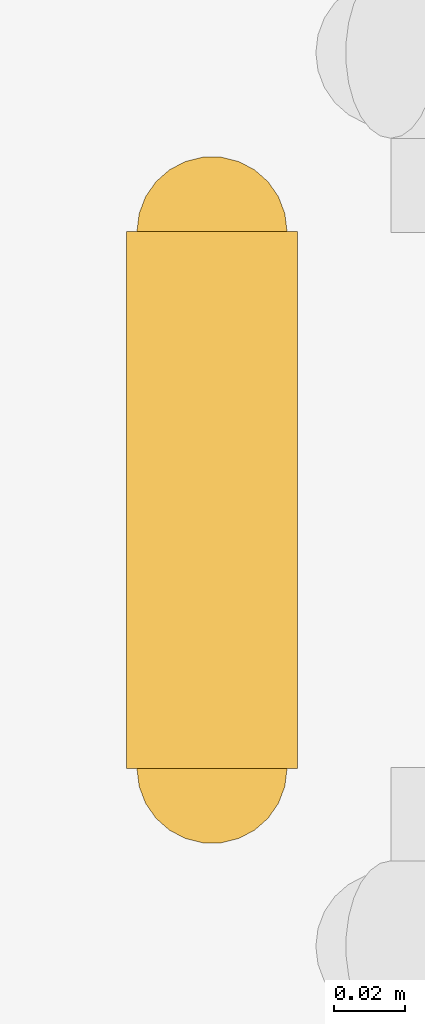
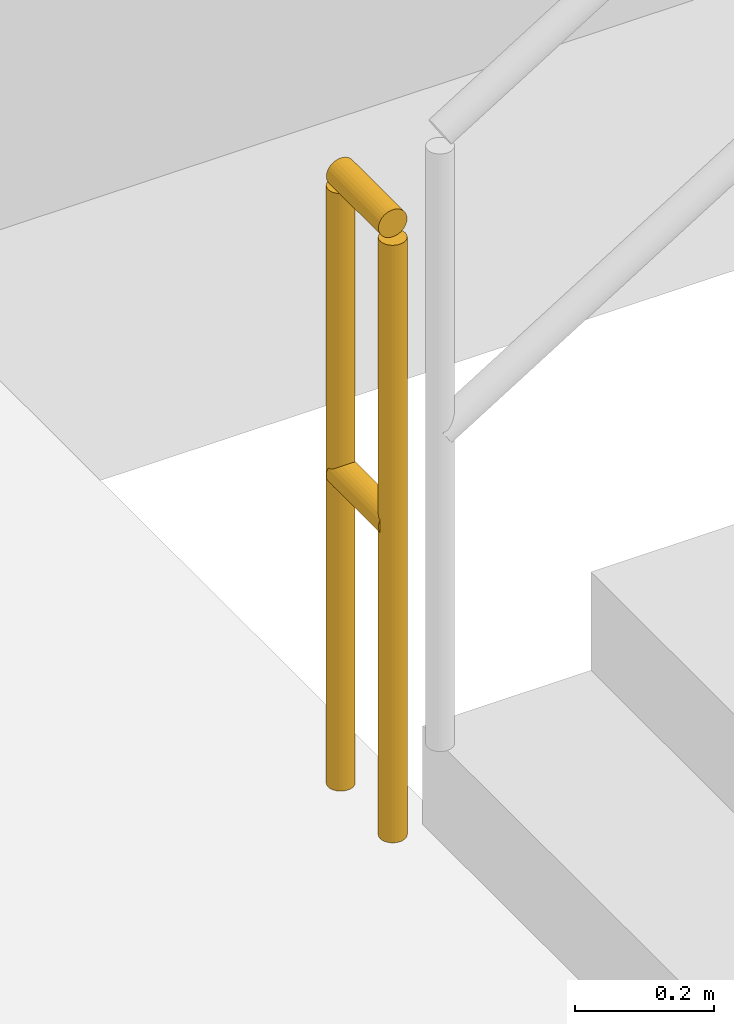
# One storey, part 10 of 13: 1 railing.
"""IFC4 building model written with IfcOpenShell, lengths in metres."""

from ifc_helpers import new_model, si_unit, direction, frame, origin, origin_2d, place, context, subcontext, project, spatial, circle, extrude, material, type_object, element, save


model = new_model("IFC4")

# Units and contexts
model_context = context("Model", 3, precision=1e-05, world=origin(), true_north=direction((0.0, 1.0)))
body_context = subcontext(model_context, "Body", "Model", "MODEL_VIEW")
ifc_project = project(units=[si_unit("LENGTHUNIT", "METRE"), si_unit("AREAUNIT", "SQUARE_METRE"), si_unit("VOLUMEUNIT", "CUBIC_METRE"), si_unit("PLANEANGLEUNIT", "RADIAN"), si_unit("MASSUNIT", "GRAM", prefix="KILO")], contexts=[model_context])

# Site, building, storey
site_placement = place(None, origin())
site = spatial("IfcSite", under=ifc_project, at=site_placement, CompositionType="ELEMENT")
building_placement = place(site_placement, origin())
building = spatial("IfcBuilding", under=site, at=building_placement, Name="Veraguas Prism Commons", CompositionType="ELEMENT")
storey_placement = place(building_placement, frame((0.0, 0.0, -5.199951171875)))
storey = spatial("IfcBuildingStorey", under=building, at=storey_placement, Name="B1", CompositionType="ELEMENT", Elevation=-5.199951171875)

# Railing
ifc_material = material(Name="Stainless steel AISI 316", Category="steel")
railing_type = type_object("IfcRailingType", Name="Stairwell Safety Guardrail 1100", PredefinedType="GUARDRAIL", material=ifc_material)
railing_placement = place(storey_placement, frame((64.199951171875, 6.64990234375, 0.0)))
element("IfcRailing", 1, at=railing_placement, inside=storey, type_object=railing_type, Name="Stair Guard ST-H1 B1-4", PredefinedType="GUARDRAIL", context=body_context, shape_type="SweptSolid", body=[
    extrude(circle(Radius=0.02392578125, at=origin_2d()), frame((0.0, 0.0, 1.076171875), z_axis=(0.0, 1.0, 0.0), x_axis=(-1.0, 0.0, 0.0)), (0.0, 0.0, 1.0), 0.150146484375),
    extrude(circle(Radius=0.02392578125, at=origin_2d()), frame((0.0, 0.0, 0.550048828125), z_axis=(0.0, 1.0, 0.0), x_axis=(-1.0, 0.0, 0.0)), (0.0, 0.0, 1.0), 0.150146484375),
    extrude(circle(Radius=0.02099609375, at=origin_2d()), origin(), (0.0, 0.0, 1.0), 1.052001953125),
    extrude(circle(Radius=0.02099609375, at=origin_2d()), frame((0.0, 0.150146484375, 0.0)), (0.0, 0.0, 1.0), 1.052001953125),
])

save(model, "model.ifc")
